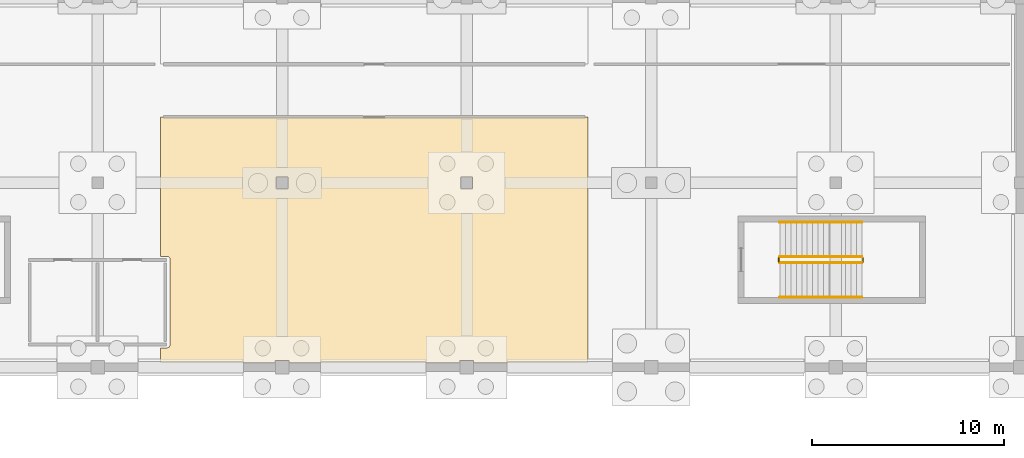
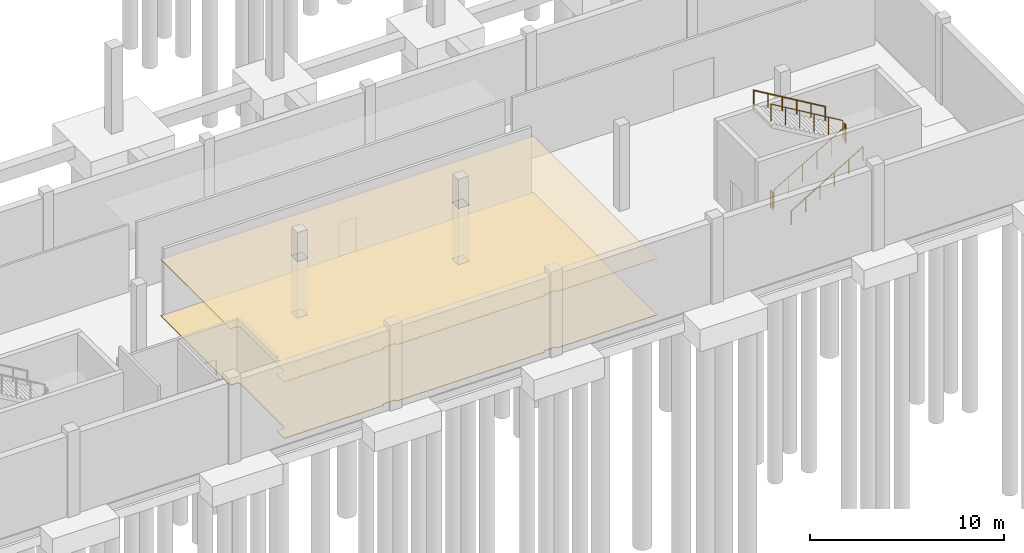
# One storey, part 32 of 41: 6 railings, 2 coverings.
"""IFC4 building model written with IfcOpenShell, lengths in metres."""

from ifc_helpers import new_model, si_unit, direction, frame, origin, origin_2d, place, context, subcontext, project, spatial, polyline, circle, outline, extrude, material, layer, layer_set, type_object, element, save


model = new_model("IFC4")

# Units and contexts
model_context = context("Model", 3, precision=1e-05, world=origin(), true_north=direction((0.0, 1.0)))
body_context = subcontext(model_context, "Body", "Model", "MODEL_VIEW")
ifc_project = project(units=[si_unit("LENGTHUNIT", "METRE"), si_unit("AREAUNIT", "SQUARE_METRE"), si_unit("VOLUMEUNIT", "CUBIC_METRE"), si_unit("PLANEANGLEUNIT", "RADIAN"), si_unit("MASSUNIT", "GRAM", prefix="KILO")], contexts=[model_context])

# Site, building, storey
site_placement = place(None, origin())
site = spatial("IfcSite", under=ifc_project, at=site_placement, CompositionType="ELEMENT")
building_placement = place(site_placement, origin())
building = spatial("IfcBuilding", under=site, at=building_placement, Name="Shalvenor Court Art Gallery", CompositionType="ELEMENT")
storey_placement = place(building_placement, frame((0.0, 0.0, -5.39990234375)))
storey = spatial("IfcBuildingStorey", under=building, at=storey_placement, Name="B01", CompositionType="ELEMENT", Elevation=-5.39990234375)

# Coverings
ifc_material_1 = material(Name="Acoustic hinoki timber slat ceiling", Category="wood")
ifc_layer_1 = layer(ifc_material_1, 0.054931640625, Name="Acoustic hinoki timber slat ceiling")
ifc_layer_set_1 = layer_set([ifc_layer_1], Name="Acoustic hinoki timber slat ceiling")
covering_type_1 = type_object("IfcCoveringType", Name="CLG-02", PredefinedType="CEILING", material=ifc_layer_set_1)
covering_1_placement = place(storey_placement, frame((0.0, 0.0, 3.5498046875)))
element("IfcCovering", 1, at=covering_1_placement, inside=storey, type_object=covering_type_1, Name="B01 Auditorium Projection And Audio Suite Acoustic Ceiling", PredefinedType="CEILING", context=body_context, shape_type="SweptSolid", body=[
    extrude(outline(polyline([(22.47998046875, 1.02001953125), (22.800048828125, 1.02001953125), (22.817626953125, 1.02099609375), (22.835205078125, 1.0234375), (22.852294921875, 1.02783203125), (22.868896484375, 1.03369140625), (22.885009765625, 1.041259765625), (22.89990234375, 1.05029296875), (22.914306640625, 1.060791015625), (22.92724609375, 1.07275390625), (22.939208984375, 1.085693359375), (22.94970703125, 1.10009765625), (22.958740234375, 1.114990234375), (22.96630859375, 1.131103515625), (22.97216796875, 1.147705078125), (22.9765625, 1.164794921875), (22.97900390625, 1.182373046875), (22.97998046875, 1.199951171875), (22.97998046875, 5.60009765625), (22.97900390625, 5.61767578125), (22.9765625, 5.635009765625), (22.97216796875, 5.65234375), (22.96630859375, 5.6689453125), (22.958740234375, 5.684814453125), (22.94970703125, 5.699951171875), (22.939208984375, 5.714111328125), (22.92724609375, 5.727294921875), (22.914306640625, 5.739013671875), (22.89990234375, 5.749755859375), (22.885009765625, 5.7587890625), (22.868896484375, 5.766357421875), (22.852294921875, 5.772216796875), (22.835205078125, 5.776611328125), (22.817626953125, 5.779052734375), (22.800048828125, 5.780029296875), (22.47998046875, 5.780029296875), (22.47998046875, 13.02001953125), (44.719970703125, 13.02001953125), (44.719970703125, 0.25), (38.77001953125, 0.25), (38.77001953125, 0.3701171875), (38.030029296875, 0.3701171875), (38.030029296875, 0.25), (29.169921875, 0.25), (29.169921875, 0.3701171875), (28.429931640625, 0.3701171875), (28.429931640625, 0.25), (22.47998046875, 0.25), (22.47998046875, 1.02001953125)]), holes=[polyline([(29.1201171875, 9.919921875), (28.47998046875, 9.919921875), (28.47998046875, 9.280029296875), (29.1201171875, 9.280029296875), (29.1201171875, 9.919921875)]), polyline([(38.719970703125, 9.919921875), (38.080078125, 9.919921875), (38.080078125, 9.280029296875), (38.719970703125, 9.280029296875), (38.719970703125, 9.919921875)])]), origin(), (0.0, 0.0, 1.0), 0.045166015625),
])
ifc_material_2 = material(Name="Honed pale limestone terrazzo flooring", Category="masonry")
ifc_layer_2 = layer(ifc_material_2, 0.0400390625, Name="Honed pale limestone terrazzo flooring")
ifc_layer_set_2 = layer_set([ifc_layer_2], Name="Honed pale limestone terrazzo flooring")
covering_type_2 = type_object("IfcCoveringType", Name="FLR-01", PredefinedType="FLOORING", material=ifc_layer_set_2)
covering_2_placement = place(storey_placement, origin())
element("IfcCovering", 2, at=covering_2_placement, inside=storey, type_object=covering_type_2, Name="B01 Auditorium Projection And Audio Suite Flooring", PredefinedType="FLOORING", context=body_context, shape_type="SweptSolid", body=[
    extrude(outline(polyline([(22.47998046875, 1.02001953125), (22.800048828125, 1.02001953125), (22.817626953125, 1.02099609375), (22.835205078125, 1.0234375), (22.852294921875, 1.02783203125), (22.868896484375, 1.03369140625), (22.885009765625, 1.041259765625), (22.89990234375, 1.05029296875), (22.914306640625, 1.060791015625), (22.92724609375, 1.07275390625), (22.939208984375, 1.085693359375), (22.94970703125, 1.10009765625), (22.958740234375, 1.114990234375), (22.96630859375, 1.131103515625), (22.97216796875, 1.147705078125), (22.9765625, 1.164794921875), (22.97900390625, 1.182373046875), (22.97998046875, 1.199951171875), (22.97998046875, 5.60009765625), (22.97900390625, 5.61767578125), (22.9765625, 5.635009765625), (22.97216796875, 5.65234375), (22.96630859375, 5.6689453125), (22.958740234375, 5.684814453125), (22.94970703125, 5.699951171875), (22.939208984375, 5.714111328125), (22.92724609375, 5.727294921875), (22.914306640625, 5.739013671875), (22.89990234375, 5.749755859375), (22.885009765625, 5.7587890625), (22.868896484375, 5.766357421875), (22.852294921875, 5.772216796875), (22.835205078125, 5.776611328125), (22.817626953125, 5.779052734375), (22.800048828125, 5.780029296875), (22.47998046875, 5.780029296875), (22.47998046875, 13.02001953125), (44.719970703125, 13.02001953125), (44.719970703125, 0.25), (38.77001953125, 0.25), (38.77001953125, 0.3701171875), (38.030029296875, 0.3701171875), (38.030029296875, 0.25), (29.169921875, 0.25), (29.169921875, 0.3701171875), (28.429931640625, 0.3701171875), (28.429931640625, 0.25), (22.47998046875, 0.25), (22.47998046875, 1.02001953125)]), holes=[polyline([(29.1201171875, 9.919921875), (28.47998046875, 9.919921875), (28.47998046875, 9.280029296875), (29.1201171875, 9.280029296875), (29.1201171875, 9.919921875)]), polyline([(38.719970703125, 9.919921875), (38.080078125, 9.919921875), (38.080078125, 9.280029296875), (38.719970703125, 9.280029296875), (38.719970703125, 9.919921875)])]), origin(), (0.0, 0.0, 1.0), 0.031982421875),
])

# Railings
ifc_material_3 = material(Name="Painted steel post-and-rail guard", Category="steel")
railing_type_1 = type_object("IfcRailingType", Name="GR-02", PredefinedType="GUARDRAIL", material=ifc_material_3)
railing_1_placement = place(storey_placement, frame((54.699951171875, 5.449951171875, 0.168701171875)))
element("IfcRailing", 3, at=railing_1_placement, inside=storey, type_object=railing_type_1, Name="B01 ST-08 Stair Guard 1", PredefinedType="GUARDRAIL", context=body_context, shape_type="SweptSolid", body=[
    extrude(circle(Radius=0.02392578125, at=origin_2d()), frame((0.0, 0.0, 1.09619140625), z_axis=(0.860483042394, 0.0, 0.50947908078), x_axis=(0.0, 1.0, 0.0)), (0.0, 0.0, 1.0), 4.96826171875),
    extrude(circle(Radius=0.02099609375, at=origin_2d()), origin(), (0.0, 0.0, 1.0), 1.072021484375),
    extrude(circle(Radius=0.02099609375, at=origin_2d()), frame((0.85498046875, 0.0, 0.50634765625)), (0.0, 0.0, 1.0), 1.072021484375),
    extrude(circle(Radius=0.02099609375, at=origin_2d()), frame((1.7099609375, 0.0, 1.012451171875)), (0.0, 0.0, 1.0), 1.072021484375),
    extrude(circle(Radius=0.02099609375, at=origin_2d()), frame((2.565185546875, 0.0, 1.518798828125)), (0.0, 0.0, 1.0), 1.072021484375),
    extrude(circle(Radius=0.02099609375, at=origin_2d()), frame((3.420166015625, 0.0, 2.02490234375)), (0.0, 0.0, 1.0), 1.072021484375),
    extrude(circle(Radius=0.02099609375, at=origin_2d()), frame((4.275146484375, 0.0, 2.53125)), (0.0, 0.0, 1.0), 1.072021484375),
])
railing_2_placement = place(storey_placement, frame((59.02490234375, 5.5, 2.699951171875)))
element("IfcRailing", 4, at=railing_2_placement, inside=storey, type_object=railing_type_1, Name="B01 ST-08 Stair Guard 2", PredefinedType="GUARDRAIL", context=body_context, shape_type="SweptSolid", body=[
    extrude(circle(Radius=0.02392578125, at=origin_2d()), frame((0.0, 0.0, 1.09619140625), z_axis=(0.0, 1.0, 0.0), x_axis=(-1.0, 0.0, 0.0)), (0.0, 0.0, 1.0), 0.199951171875),
    extrude(circle(Radius=0.02099609375, at=origin_2d()), origin(), (0.0, 0.0, 1.0), 1.072021484375),
    extrude(circle(Radius=0.02099609375, at=origin_2d()), frame((0.0, 0.199951171875, 0.0)), (0.0, 0.0, 1.0), 1.072021484375),
])
railing_3_placement = place(storey_placement, frame((58.97509765625, 5.75, 2.86865234375)))
element("IfcRailing", 5, at=railing_3_placement, inside=storey, type_object=railing_type_1, Name="B01 ST-08 Stair Guard 3", PredefinedType="GUARDRAIL", context=body_context, shape_type="SweptSolid", body=[
    extrude(circle(Radius=0.02392578125, at=origin_2d()), frame((0.0, 0.0, 1.09619140625), z_axis=(-0.860483042394, 0.0, 0.50947908078), x_axis=(0.0, -1.0, 0.0)), (0.0, 0.0, 1.0), 4.96826171875),
    extrude(circle(Radius=0.02099609375, at=origin_2d()), origin(), (0.0, 0.0, 1.0), 1.072021484375),
    extrude(circle(Radius=0.02099609375, at=origin_2d()), frame((-0.85498046875, 0.0, 0.50634765625)), (0.0, 0.0, 1.0), 1.072021484375),
    extrude(circle(Radius=0.02099609375, at=origin_2d()), frame((-1.7099609375, 0.0, 1.012451171875)), (0.0, 0.0, 1.0), 1.072021484375),
    extrude(circle(Radius=0.02099609375, at=origin_2d()), frame((-2.565185546875, 0.0, 1.518798828125)), (0.0, 0.0, 1.0), 1.072021484375),
    extrude(circle(Radius=0.02099609375, at=origin_2d()), frame((-3.420166015625, 0.0, 2.02490234375)), (0.0, 0.0, 1.0), 1.072021484375),
    extrude(circle(Radius=0.02099609375, at=origin_2d()), frame((-4.275146484375, 0.0, 2.53125)), (0.0, 0.0, 1.0), 1.072021484375),
])
railing_4_placement = place(storey_placement, frame((54.64990234375, 5.5, 0.0)))
element("IfcRailing", 6, at=railing_4_placement, inside=storey, type_object=railing_type_1, Name="B01 ST-08 Stair Guard 4", PredefinedType="GUARDRAIL", context=body_context, shape_type="SweptSolid", body=[
    extrude(circle(Radius=0.02392578125, at=origin_2d()), frame((0.0, 0.0, 1.09619140625), z_axis=(0.0, 1.0, 0.0), x_axis=(-1.0, 0.0, 0.0)), (0.0, 0.0, 1.0), 0.199951171875),
    extrude(circle(Radius=0.02099609375, at=origin_2d()), origin(), (0.0, 0.0, 1.0), 1.072021484375),
    extrude(circle(Radius=0.02099609375, at=origin_2d()), frame((0.0, 0.199951171875, 0.0)), (0.0, 0.0, 1.0), 1.072021484375),
])
ifc_material_4 = material(Name="Brushed stainless steel handrail", Category="steel")
railing_type_2 = type_object("IfcRailingType", Name="HR-01", PredefinedType="HANDRAIL", material=ifc_material_4)
railing_5_placement = place(storey_placement, frame((54.699951171875, 3.64990234375, 0.168701171875)))
element("IfcRailing", 7, at=railing_5_placement, inside=storey, type_object=railing_type_2, Name="B01 ST-08 Stair Handrail 1", PredefinedType="HANDRAIL", context=body_context, shape_type="SweptSolid", body=[
    extrude(circle(Radius=0.02392578125, at=origin_2d()), frame((0.0, 0.0, 0.8759765625), z_axis=(0.860483042394, 0.0, 0.50947908078), x_axis=(0.0, 1.0, 0.0)), (0.0, 0.0, 1.0), 4.96826171875),
    extrude(circle(Radius=0.02099609375, at=origin_2d()), origin(), (0.0, 0.0, 1.0), 0.851806640625),
    extrude(circle(Radius=0.02099609375, at=origin_2d()), frame((0.85498046875, 0.0, 0.50634765625)), (0.0, 0.0, 1.0), 0.851806640625),
    extrude(circle(Radius=0.02099609375, at=origin_2d()), frame((1.7099609375, 0.0, 1.012451171875)), (0.0, 0.0, 1.0), 0.851806640625),
    extrude(circle(Radius=0.02099609375, at=origin_2d()), frame((2.565185546875, 0.0, 1.518798828125)), (0.0, 0.0, 1.0), 0.851806640625),
    extrude(circle(Radius=0.02099609375, at=origin_2d()), frame((3.420166015625, 0.0, 2.02490234375)), (0.0, 0.0, 1.0), 0.851806640625),
    extrude(circle(Radius=0.02099609375, at=origin_2d()), frame((4.275146484375, 0.0, 2.53125)), (0.0, 0.0, 1.0), 0.851806640625),
])
railing_6_placement = place(storey_placement, frame((58.97509765625, 7.550048828125, 2.86865234375)))
element("IfcRailing", 8, at=railing_6_placement, inside=storey, type_object=railing_type_2, Name="B01 ST-08 Stair Handrail 2", PredefinedType="HANDRAIL", context=body_context, shape_type="SweptSolid", body=[
    extrude(circle(Radius=0.02392578125, at=origin_2d()), frame((0.0, 0.0, 0.8759765625), z_axis=(-0.860483042394, 0.0, 0.50947908078), x_axis=(0.0, -1.0, 0.0)), (0.0, 0.0, 1.0), 4.96826171875),
    extrude(circle(Radius=0.02099609375, at=origin_2d()), origin(), (0.0, 0.0, 1.0), 0.851806640625),
    extrude(circle(Radius=0.02099609375, at=origin_2d()), frame((-0.85498046875, 0.0, 0.50634765625)), (0.0, 0.0, 1.0), 0.851806640625),
    extrude(circle(Radius=0.02099609375, at=origin_2d()), frame((-1.7099609375, 0.0, 1.012451171875)), (0.0, 0.0, 1.0), 0.851806640625),
    extrude(circle(Radius=0.02099609375, at=origin_2d()), frame((-2.565185546875, 0.0, 1.518798828125)), (0.0, 0.0, 1.0), 0.851806640625),
    extrude(circle(Radius=0.02099609375, at=origin_2d()), frame((-3.420166015625, 0.0, 2.02490234375)), (0.0, 0.0, 1.0), 0.851806640625),
    extrude(circle(Radius=0.02099609375, at=origin_2d()), frame((-4.275146484375, 0.0, 2.53125)), (0.0, 0.0, 1.0), 0.851806640625),
])

save(model, "model.ifc")
